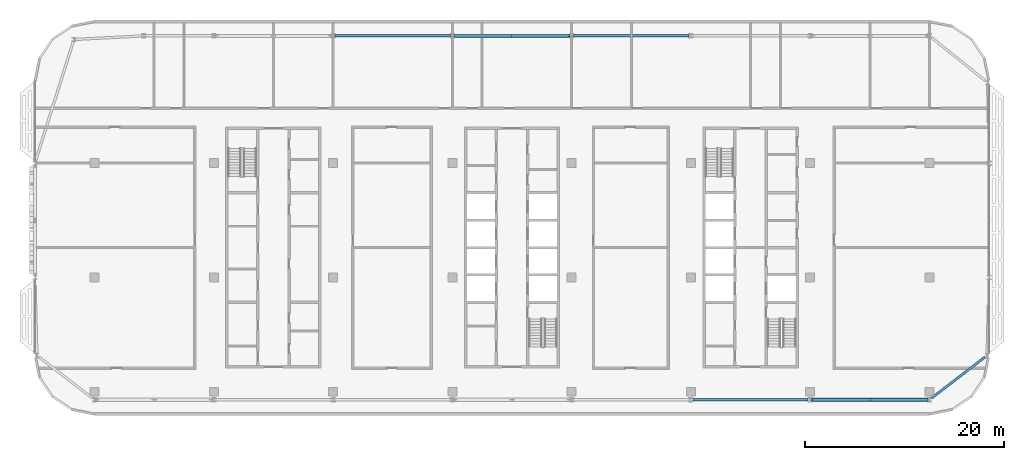
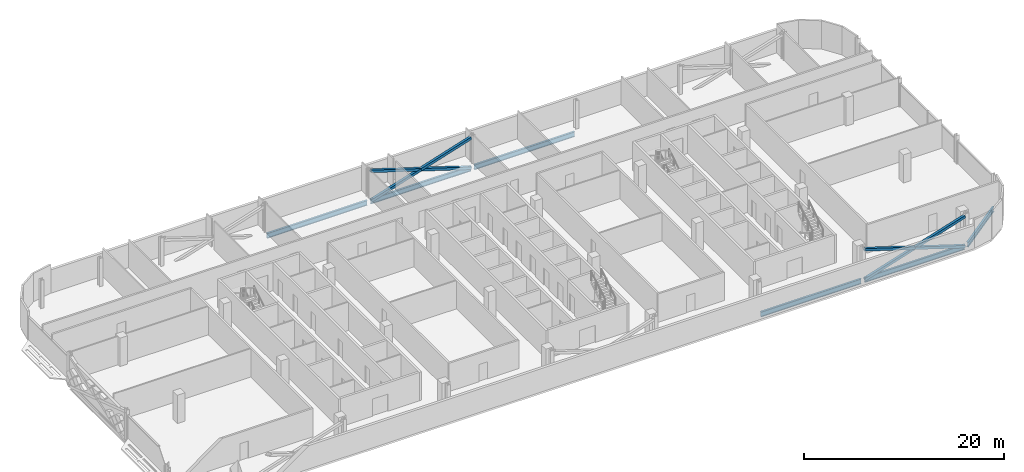
# One storey, part 9 of 28: 6 beams, 6 members.
"""IFC4 building model written with IfcOpenShell, lengths in metres."""

from ifc_helpers import new_model, si_unit, direction, frame, origin, origin_2d, place, context, subcontext, project, spatial, hollow_rectangle, i_section, extrude, material, material_profile, profile_set, type_object, element, save


model = new_model("IFC4")

# Units and contexts
model_context = context("Model", 3, precision=1e-05, world=origin(), true_north=direction((0.0, 1.0)))
body_context = subcontext(model_context, "Body", "Model", "MODEL_VIEW")
ifc_project = project(units=[si_unit("LENGTHUNIT", "METRE"), si_unit("AREAUNIT", "SQUARE_METRE"), si_unit("VOLUMEUNIT", "CUBIC_METRE"), si_unit("PLANEANGLEUNIT", "RADIAN"), si_unit("MASSUNIT", "GRAM", prefix="KILO")], contexts=[model_context])

# Site, building, storey
site_placement = place(None, origin())
site = spatial("IfcSite", under=ifc_project, at=site_placement, CompositionType="ELEMENT")
building_placement = place(site_placement, origin())
building = spatial("IfcBuilding", under=site, at=building_placement, Name="Mahtab Terrace Research Tower", CompositionType="ELEMENT")
storey_placement = place(building_placement, frame((0.0, 0.0, 267.10009765625)))
storey = spatial("IfcBuildingStorey", under=building, at=storey_placement, Name="L65", CompositionType="ELEMENT", Elevation=267.10009765625)

# Members
ifc_material_1 = material(Name="Steel ASTM A500 Gr C", Category="steel")
ifc_material_profile_1 = material_profile(ifc_material_1, hollow_rectangle(XDim=0.3046875, YDim=0.3046875, WallThickness=0.015869140625, at=origin_2d()), Name="HSS12X12X5/8")
ifc_profile_set_1 = profile_set([ifc_material_profile_1], Name="Steel ASTM A500 Gr C")
member_type = type_object("IfcMemberType", Name="HSS 12x12x5/8 brace XB121258", PredefinedType="BRACE", material=ifc_profile_set_1)
member_1_placement = place(storey_placement, frame((5.80322265625, 24.306884765625, -0.581298828125), z_axis=(-0.953344149173, 0.0, 0.301885629399), x_axis=(0.0, -1.0, 0.0)))
element("IfcMember", 1, at=member_1_placement, inside=storey, type_object=member_type, Name="Exoskeleton brace L65 05 a", PredefinedType="BRACE", context=body_context, shape_type="SweptSolid", body=[
    extrude(hollow_rectangle(XDim=0.3046875, YDim=0.3046875, WallThickness=0.015869140625, at=origin_2d()), origin(), (0.0, 0.0, 1.0), 12.174560546875),
])
for number, where, z_axis, x_axis, name in (
    (2, (-5.80322265625, 24.306884765625, -0.581298828125), (0.953344149173, 0.0, 0.301885629399), (0.0, 1.0, 0.0), "Exoskeleton brace L65 05 b1"),
    (3, (0.0, 24.306884765625, 1.25634765625), (0.953344149173, 0.0, 0.301885629399), (0.0, 1.0, 0.0), "Exoskeleton brace L65 05 b2"),
):
    element("IfcMember", number, at=place(storey_placement, frame(where, z_axis=z_axis, x_axis=x_axis)), inside=storey, type_object=member_type, Name=name, PredefinedType="BRACE", context=body_context, shape_type="SweptSolid", body=[
        extrude(hollow_rectangle(XDim=0.3046875, YDim=0.3046875, WallThickness=0.015869140625, at=origin_2d()), origin(), (0.0, 0.0, 1.0), 6.087158203125),
    ])
member_2_placement = place(storey_placement, frame((30.19677734375, -12.306884765625, -0.581298828125), z_axis=(0.953344149173, 0.0, 0.301885629399), x_axis=(0.0, 1.0, 0.0)))
element("IfcMember", 4, at=member_2_placement, inside=storey, type_object=member_type, Name="Exoskeleton brace L65 20 a", PredefinedType="BRACE", context=body_context, shape_type="SweptSolid", body=[
    extrude(hollow_rectangle(XDim=0.3046875, YDim=0.3046875, WallThickness=0.015869140625, at=origin_2d()), origin(), (0.0, 0.0, 1.0), 12.174560546875),
])
for number, where, z_axis, x_axis, name in (
    (5, (41.80322265625, -12.306884765625, -0.581298828125), (-0.953344149173, 0.0, 0.301885629399), (0.0, -1.0, 0.0), "Exoskeleton brace L65 20 b1"),
    (6, (36.0, -12.306884765625, 1.25634765625), (-0.953344149173, 0.0, 0.301885629399), (0.0, -1.0, 0.0), "Exoskeleton brace L65 20 b2"),
):
    element("IfcMember", number, at=place(storey_placement, frame(where, z_axis=z_axis, x_axis=x_axis)), inside=storey, type_object=member_type, Name=name, PredefinedType="BRACE", context=body_context, shape_type="SweptSolid", body=[
        extrude(hollow_rectangle(XDim=0.3046875, YDim=0.3046875, WallThickness=0.015869140625, at=origin_2d()), origin(), (0.0, 0.0, 1.0), 6.087158203125),
    ])

# Beams
ifc_material_2 = material(Name="Steel ASTM A992 Gr 50", Category="steel")
ifc_material_profile_2 = material_profile(ifc_material_2, i_section(OverallWidth=0.228271484375, OverallDepth=0.607177734375, WebThickness=0.01123046875, FlangeThickness=0.017333984375, at=origin_2d()), Name="W24X76")
ifc_profile_set_2 = profile_set([ifc_material_profile_2], Name="Steel ASTM A992 Gr 50")
beam_type = type_object("IfcBeamType", Name="W24x76 beam BS2476", PredefinedType="BEAM", material=ifc_profile_set_2)
for number, where, z_axis, x_axis, name in (
    (7, (17.80322265625, 24.306884765625, -0.6435546875), (-1.0, 0.0, 0.0), (0.0, -1.0, 0.0), "Spandrel beam L65 04"),
    (8, (5.80322265625, 24.306884765625, -0.6435546875), (-1.0, 0.0, 0.0), (0.0, -1.0, 0.0), "Spandrel beam L65 05"),
    (9, (-6.19677734375, 24.306884765625, -0.6435546875), (-1.0, 0.0, 0.0), (0.0, -1.0, 0.0), "Spandrel beam L65 06"),
    (10, (18.19677734375, -12.306884765625, -0.6435546875), (1.0, 0.0, 0.0), (0.0, 1.0, 0.0), "Spandrel beam L65 19"),
    (11, (30.19677734375, -12.306884765625, -0.6435546875), (1.0, 0.0, 0.0), (0.0, 1.0, 0.0), "Spandrel beam L65 20"),
):
    element("IfcBeam", number, at=place(storey_placement, frame(where, z_axis=z_axis, x_axis=x_axis)), inside=storey, type_object=beam_type, Name=name, PredefinedType="BEAM", context=body_context, shape_type="SweptSolid", body=[
        extrude(i_section(OverallWidth=0.228271484375, OverallDepth=0.607177734375, WebThickness=0.01123046875, FlangeThickness=0.017333984375, at=origin_2d()), origin(), (0.0, 0.0, 1.0), 11.6064453125),
    ])
beam_placement = place(storey_placement, frame((42.19677734375, -12.155517578125, -0.6435546875), z_axis=(0.792687883453, 0.60962768919, 0.0), x_axis=(-0.60962768919, 0.792687883453, 0.0)))
element("IfcBeam", 12, at=beam_placement, inside=storey, type_object=beam_type, Name="Spandrel beam L65 21", PredefinedType="BEAM", context=body_context, shape_type="SweptSolid", body=[
    extrude(i_section(OverallWidth=0.228271484375, OverallDepth=0.607177734375, WebThickness=0.01123046875, FlangeThickness=0.017333984375, at=origin_2d()), origin(), (0.0, 0.0, 1.0), 6.817626953125),
])

save(model, "model.ifc")
